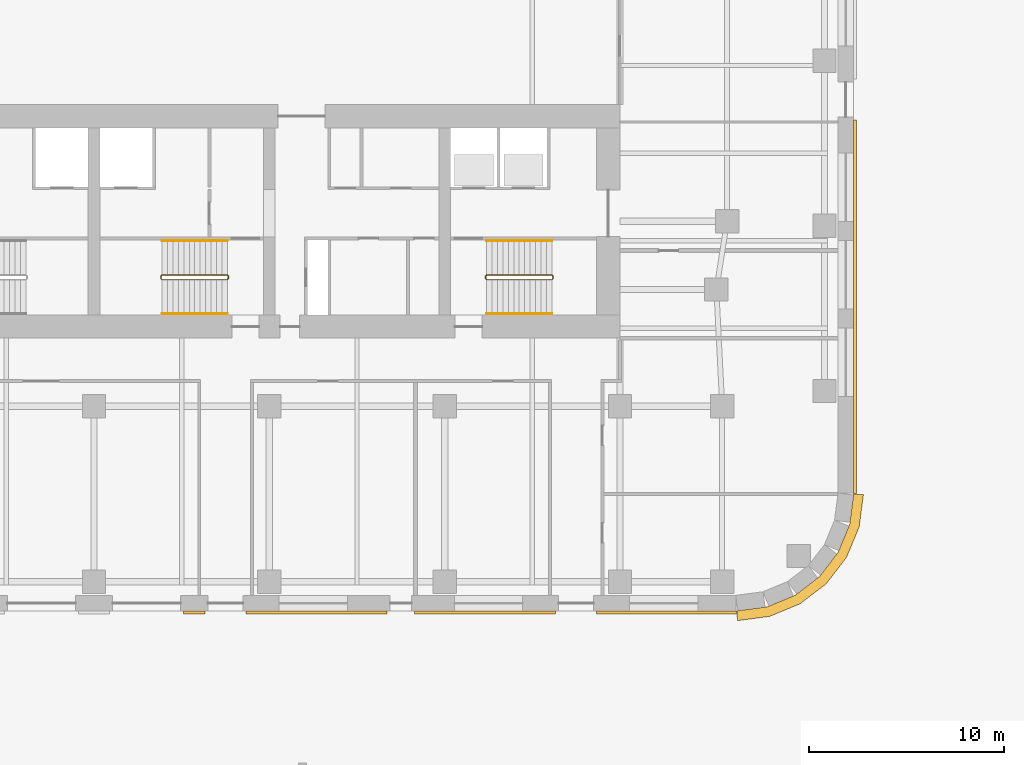
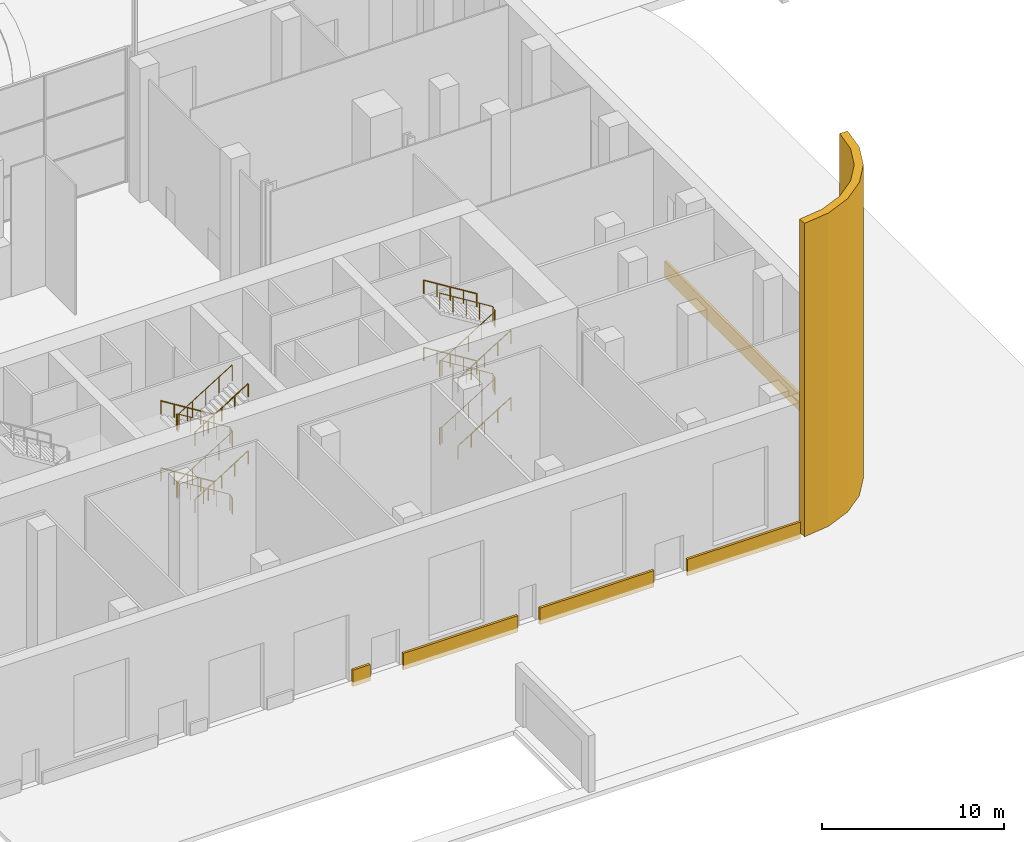
# One storey, part 18 of 23: 10 railings, 6 coverings.
"""IFC4 building model written with IfcOpenShell, lengths in metres."""

from ifc_helpers import new_model, si_unit, direction, frame, origin, origin_2d, place, context, subcontext, project, spatial, polyline, circle, outline, extrude, material, layer, layer_set, type_object, element, save


model = new_model("IFC4")

# Units and contexts
model_context = context("Model", 3, precision=1e-05, world=origin(), true_north=direction((0.0, 1.0)))
body_context = subcontext(model_context, "Body", "Model", "MODEL_VIEW")
ifc_project = project(units=[si_unit("LENGTHUNIT", "METRE"), si_unit("AREAUNIT", "SQUARE_METRE"), si_unit("VOLUMEUNIT", "CUBIC_METRE"), si_unit("PLANEANGLEUNIT", "RADIAN"), si_unit("MASSUNIT", "GRAM", prefix="KILO")], contexts=[model_context])

# Site, building, storey
site_placement = place(None, origin())
site = spatial("IfcSite", under=ifc_project, at=site_placement, CompositionType="ELEMENT")
building_placement = place(site_placement, origin())
building = spatial("IfcBuilding", under=site, at=building_placement, Name="Zellij Exchange Tower", CompositionType="ELEMENT")
storey_placement = place(building_placement, origin())
storey = spatial("IfcBuildingStorey", under=building, at=storey_placement, Name="L00", CompositionType="ELEMENT", Elevation=0.0)

# Railings
ifc_material_1 = material(Name="Stainless steel", Category="steel")
railing_type_1 = type_object("IfcRailingType", Name="CORE-RG stair guard", PredefinedType="GUARDRAIL", material=ifc_material_1)
railing_1_placement = place(storey_placement, frame((6.89990234375, -10.800048828125, 0.0)))
element("IfcRailing", 1, at=railing_1_placement, inside=storey, type_object=railing_type_1, Name="ST3 stair guard L00", PredefinedType="GUARDRAIL", context=body_context, shape_type="SweptSolid", body=[
    extrude(circle(Radius=0.02392578125, at=origin_2d()), frame((0.0, 0.0, 1.076171875), z_axis=(0.0, -1.0, 0.0), x_axis=(1.0, 0.0, 0.0)), (0.0, 0.0, 1.0), 0.14990234375),
    extrude(circle(Radius=0.02392578125, at=origin_2d()), frame((0.0, -0.14990234375, 1.076171875), z_axis=(-0.185068141132, 0.742994154839, 0.643202510111), x_axis=(-0.970351222016, -0.241699205484, 0.0)), (0.0, 0.0, 1.0), 0.26904296875),
    extrude(circle(Radius=0.02392578125, at=origin_2d()), frame((-0.0498046875, 0.050048828125, 1.2490234375), z_axis=(-0.850623216509, 0.0, 0.525775754039), x_axis=(0.0, -1.0, 0.0)), (0.0, 0.0, 1.0), 3.9501953125),
    extrude(circle(Radius=0.02392578125, at=origin_2d()), frame((-3.409912109375, 0.050048828125, 3.326171875), z_axis=(-0.707106781187, -0.707106781187, 0.0), x_axis=(0.707106781187, -0.707106781187, 0.0)), (0.0, 0.0, 1.0), 0.07080078125),
    extrude(circle(Radius=0.02392578125, at=origin_2d()), frame((-3.4599609375, 0.0, 3.326171875), z_axis=(0.0, -1.0, 0.0), x_axis=(1.0, 0.0, 0.0)), (0.0, 0.0, 1.0), 0.14990234375),
    extrude(circle(Radius=0.02392578125, at=origin_2d()), frame((-3.4599609375, -0.14990234375, 3.326171875), z_axis=(0.267629722418, -0.267629722418, 0.925607186314), x_axis=(0.707106781187, 0.707106781187, 0.0)), (0.0, 0.0, 1.0), 0.18701171875),
    extrude(circle(Radius=0.02392578125, at=origin_2d()), frame((-3.409912109375, -0.199951171875, 3.4990234375), z_axis=(0.850623216509, 0.0, 0.525775754039), x_axis=(0.0, 1.0, 0.0)), (0.0, 0.0, 1.0), 3.9501953125),
    extrude(circle(Radius=0.02392578125, at=origin_2d()), frame((-0.0498046875, -0.199951171875, 5.576171875), z_axis=(0.241699205484, 0.970351222016, 0.0), x_axis=(-0.970351222016, 0.241699205484, 0.0)), (0.0, 0.0, 1.0), 0.2060546875),
    extrude(circle(Radius=0.02392578125, at=origin_2d()), frame((0.0, 0.0, 5.576171875), z_axis=(0.0, -1.0, 0.0), x_axis=(1.0, 0.0, 0.0)), (0.0, 0.0, 1.0), 0.14990234375),
    extrude(circle(Radius=0.02392578125, at=origin_2d()), frame((0.0, -0.14990234375, 5.576171875), z_axis=(-0.185068141132, 0.742994154839, 0.643202510111), x_axis=(-0.970351222016, -0.241699205484, 0.0)), (0.0, 0.0, 1.0), 0.26904296875),
    extrude(circle(Radius=0.02392578125, at=origin_2d()), frame((-0.0498046875, 0.050048828125, 5.7490234375), z_axis=(-0.850623216509, 0.0, 0.525775754039), x_axis=(0.0, -1.0, 0.0)), (0.0, 0.0, 1.0), 3.9501953125),
    extrude(circle(Radius=0.02392578125, at=origin_2d()), frame((-3.409912109375, 0.050048828125, 7.826171875), z_axis=(-0.707106781187, -0.707106781187, 0.0), x_axis=(0.707106781187, -0.707106781187, 0.0)), (0.0, 0.0, 1.0), 0.07080078125),
    extrude(circle(Radius=0.02392578125, at=origin_2d()), frame((-3.4599609375, 0.0, 7.826171875), z_axis=(0.0, -1.0, 0.0), x_axis=(1.0, 0.0, 0.0)), (0.0, 0.0, 1.0), 0.14990234375),
    extrude(circle(Radius=0.02392578125, at=origin_2d()), frame((-3.4599609375, -0.14990234375, 7.826171875), z_axis=(0.267629722418, -0.267629722418, 0.925607186314), x_axis=(0.707106781187, 0.707106781187, 0.0)), (0.0, 0.0, 1.0), 0.18701171875),
    extrude(circle(Radius=0.02392578125, at=origin_2d()), frame((-3.409912109375, -0.199951171875, 7.9990234375), z_axis=(0.850623216509, 0.0, 0.525775754039), x_axis=(0.0, 1.0, 0.0)), (0.0, 0.0, 1.0), 3.9501953125),
    extrude(circle(Radius=0.02099609375, at=origin_2d()), origin(), (0.0, 0.0, 1.0), 1.052001953125),
    extrude(circle(Radius=0.02099609375, at=origin_2d()), frame((0.0, -0.14990234375, 0.0)), (0.0, 0.0, 1.0), 1.052001953125),
    extrude(circle(Radius=0.02099609375, at=origin_2d()), frame((-0.0498046875, 0.050048828125, 0.173095703125)), (0.0, 0.0, 1.0), 1.052001953125),
    extrude(circle(Radius=0.02099609375, at=origin_2d()), frame((-0.889892578125, 0.050048828125, 0.6923828125)), (0.0, 0.0, 1.0), 1.052001953125),
    extrude(circle(Radius=0.02099609375, at=origin_2d()), frame((-1.72998046875, 0.050048828125, 1.21142578125)), (0.0, 0.0, 1.0), 1.052001953125),
    extrude(circle(Radius=0.02099609375, at=origin_2d()), frame((-2.56982421875, 0.050048828125, 1.730712890625)), (0.0, 0.0, 1.0), 1.052001953125),
    extrude(circle(Radius=0.02099609375, at=origin_2d()), frame((-3.409912109375, 0.050048828125, 2.25)), (0.0, 0.0, 1.0), 1.052001953125),
    extrude(circle(Radius=0.02099609375, at=origin_2d()), frame((-3.4599609375, 0.0, 2.25)), (0.0, 0.0, 1.0), 1.052001953125),
    extrude(circle(Radius=0.02099609375, at=origin_2d()), frame((-3.4599609375, -0.14990234375, 2.25)), (0.0, 0.0, 1.0), 1.052001953125),
    extrude(circle(Radius=0.02099609375, at=origin_2d()), frame((-3.409912109375, -0.199951171875, 2.423095703125)), (0.0, 0.0, 1.0), 1.052001953125),
    extrude(circle(Radius=0.02099609375, at=origin_2d()), frame((-2.56982421875, -0.199951171875, 2.9423828125)), (0.0, 0.0, 1.0), 1.052001953125),
    extrude(circle(Radius=0.02099609375, at=origin_2d()), frame((-1.72998046875, -0.199951171875, 3.46142578125)), (0.0, 0.0, 1.0), 1.052001953125),
    extrude(circle(Radius=0.02099609375, at=origin_2d()), frame((-0.889892578125, -0.199951171875, 3.980712890625)), (0.0, 0.0, 1.0), 1.052001953125),
    extrude(circle(Radius=0.02099609375, at=origin_2d()), frame((-0.0498046875, -0.199951171875, 4.5)), (0.0, 0.0, 1.0), 1.052001953125),
    extrude(circle(Radius=0.02099609375, at=origin_2d()), frame((0.0, 0.0, 4.5)), (0.0, 0.0, 1.0), 1.052001953125),
    extrude(circle(Radius=0.02099609375, at=origin_2d()), frame((0.0, -0.14990234375, 4.5)), (0.0, 0.0, 1.0), 1.052001953125),
    extrude(circle(Radius=0.02099609375, at=origin_2d()), frame((-0.0498046875, 0.050048828125, 4.673095703125)), (0.0, 0.0, 1.0), 1.052001953125),
    extrude(circle(Radius=0.02099609375, at=origin_2d()), frame((-0.889892578125, 0.050048828125, 5.1923828125)), (0.0, 0.0, 1.0), 1.052001953125),
    extrude(circle(Radius=0.02099609375, at=origin_2d()), frame((-1.72998046875, 0.050048828125, 5.71142578125)), (0.0, 0.0, 1.0), 1.052001953125),
    extrude(circle(Radius=0.02099609375, at=origin_2d()), frame((-2.56982421875, 0.050048828125, 6.230712890625)), (0.0, 0.0, 1.0), 1.052001953125),
    extrude(circle(Radius=0.02099609375, at=origin_2d()), frame((-3.409912109375, 0.050048828125, 6.75)), (0.0, 0.0, 1.0), 1.052001953125),
    extrude(circle(Radius=0.02099609375, at=origin_2d()), frame((-3.4599609375, 0.0, 6.75)), (0.0, 0.0, 1.0), 1.052001953125),
    extrude(circle(Radius=0.02099609375, at=origin_2d()), frame((-3.4599609375, -0.14990234375, 6.75)), (0.0, 0.0, 1.0), 1.052001953125),
    extrude(circle(Radius=0.02099609375, at=origin_2d()), frame((-3.409912109375, -0.199951171875, 6.923095703125)), (0.0, 0.0, 1.0), 1.052001953125),
    extrude(circle(Radius=0.02099609375, at=origin_2d()), frame((-2.56982421875, -0.199951171875, 7.4423828125)), (0.0, 0.0, 1.0), 1.052001953125),
    extrude(circle(Radius=0.02099609375, at=origin_2d()), frame((-1.72998046875, -0.199951171875, 7.96142578125)), (0.0, 0.0, 1.0), 1.052001953125),
    extrude(circle(Radius=0.02099609375, at=origin_2d()), frame((-0.889892578125, -0.199951171875, 8.480712890625)), (0.0, 0.0, 1.0), 1.052001953125),
    extrude(circle(Radius=0.02099609375, at=origin_2d()), frame((-0.0498046875, -0.199951171875, 9.0)), (0.0, 0.0, 1.0), 1.052001953125),
])
railing_2_placement = place(storey_placement, frame((20.10009765625, -10.949951171875, 0.0)))
element("IfcRailing", 2, at=railing_2_placement, inside=storey, type_object=railing_type_1, Name="ST4 stair guard L00", PredefinedType="GUARDRAIL", context=body_context, shape_type="SweptSolid", body=[
    extrude(circle(Radius=0.02392578125, at=origin_2d()), frame((0.0, 0.0, 1.076171875), z_axis=(0.0, 1.0, 0.0), x_axis=(-1.0, 0.0, 0.0)), (0.0, 0.0, 1.0), 0.14990234375),
    extrude(circle(Radius=0.02392578125, at=origin_2d()), frame((0.0, 0.14990234375, 1.076171875), z_axis=(0.185068141132, -0.742994154839, 0.643202510111), x_axis=(0.970351222016, 0.241699205484, 0.0)), (0.0, 0.0, 1.0), 0.26904296875),
    extrude(circle(Radius=0.02392578125, at=origin_2d()), frame((0.0498046875, -0.050048828125, 1.2490234375), z_axis=(0.850623216509, 0.0, 0.525775754039), x_axis=(0.0, 1.0, 0.0)), (0.0, 0.0, 1.0), 3.9501953125),
    extrude(circle(Radius=0.02392578125, at=origin_2d()), frame((3.409912109375, -0.050048828125, 3.326171875), z_axis=(0.707106781187, 0.707106781187, 0.0), x_axis=(-0.707106781187, 0.707106781187, 0.0)), (0.0, 0.0, 1.0), 0.07080078125),
    extrude(circle(Radius=0.02392578125, at=origin_2d()), frame((3.4599609375, 0.0, 3.326171875), z_axis=(0.0, 1.0, 0.0), x_axis=(-1.0, 0.0, 0.0)), (0.0, 0.0, 1.0), 0.14990234375),
    extrude(circle(Radius=0.02392578125, at=origin_2d()), frame((3.4599609375, 0.14990234375, 3.326171875), z_axis=(-0.267629722418, 0.267629722418, 0.925607186314), x_axis=(-0.707106781187, -0.707106781187, 0.0)), (0.0, 0.0, 1.0), 0.18701171875),
    extrude(circle(Radius=0.02392578125, at=origin_2d()), frame((3.409912109375, 0.199951171875, 3.4990234375), z_axis=(-0.850623216509, 0.0, 0.525775754039), x_axis=(0.0, -1.0, 0.0)), (0.0, 0.0, 1.0), 3.9501953125),
    extrude(circle(Radius=0.02392578125, at=origin_2d()), frame((0.0498046875, 0.199951171875, 5.576171875), z_axis=(-0.241699205484, -0.970351222016, 0.0), x_axis=(0.970351222016, -0.241699205484, 0.0)), (0.0, 0.0, 1.0), 0.2060546875),
    extrude(circle(Radius=0.02392578125, at=origin_2d()), frame((0.0, 0.0, 5.576171875), z_axis=(0.0, 1.0, 0.0), x_axis=(-1.0, 0.0, 0.0)), (0.0, 0.0, 1.0), 0.14990234375),
    extrude(circle(Radius=0.02392578125, at=origin_2d()), frame((0.0, 0.14990234375, 5.576171875), z_axis=(0.185068141132, -0.742994154839, 0.643202510111), x_axis=(0.970351222016, 0.241699205484, 0.0)), (0.0, 0.0, 1.0), 0.26904296875),
    extrude(circle(Radius=0.02392578125, at=origin_2d()), frame((0.0498046875, -0.050048828125, 5.7490234375), z_axis=(0.850623216509, 0.0, 0.525775754039), x_axis=(0.0, 1.0, 0.0)), (0.0, 0.0, 1.0), 3.9501953125),
    extrude(circle(Radius=0.02392578125, at=origin_2d()), frame((3.409912109375, -0.050048828125, 7.826171875), z_axis=(0.707106781187, 0.707106781187, 0.0), x_axis=(-0.707106781187, 0.707106781187, 0.0)), (0.0, 0.0, 1.0), 0.07080078125),
    extrude(circle(Radius=0.02392578125, at=origin_2d()), frame((3.4599609375, 0.0, 7.826171875), z_axis=(0.0, 1.0, 0.0), x_axis=(-1.0, 0.0, 0.0)), (0.0, 0.0, 1.0), 0.14990234375),
    extrude(circle(Radius=0.02392578125, at=origin_2d()), frame((3.4599609375, 0.14990234375, 7.826171875), z_axis=(-0.267629722418, 0.267629722418, 0.925607186314), x_axis=(-0.707106781187, -0.707106781187, 0.0)), (0.0, 0.0, 1.0), 0.18701171875),
    extrude(circle(Radius=0.02392578125, at=origin_2d()), frame((3.409912109375, 0.199951171875, 7.9990234375), z_axis=(-0.850623216509, 0.0, 0.525775754039), x_axis=(0.0, -1.0, 0.0)), (0.0, 0.0, 1.0), 3.9501953125),
    extrude(circle(Radius=0.02099609375, at=origin_2d()), origin(), (0.0, 0.0, 1.0), 1.052001953125),
    extrude(circle(Radius=0.02099609375, at=origin_2d()), frame((0.0, 0.14990234375, 0.0)), (0.0, 0.0, 1.0), 1.052001953125),
    extrude(circle(Radius=0.02099609375, at=origin_2d()), frame((0.0498046875, -0.050048828125, 0.173095703125)), (0.0, 0.0, 1.0), 1.052001953125),
    extrude(circle(Radius=0.02099609375, at=origin_2d()), frame((0.889892578125, -0.050048828125, 0.6923828125)), (0.0, 0.0, 1.0), 1.052001953125),
    extrude(circle(Radius=0.02099609375, at=origin_2d()), frame((1.72998046875, -0.050048828125, 1.21142578125)), (0.0, 0.0, 1.0), 1.052001953125),
    extrude(circle(Radius=0.02099609375, at=origin_2d()), frame((2.56982421875, -0.050048828125, 1.730712890625)), (0.0, 0.0, 1.0), 1.052001953125),
    extrude(circle(Radius=0.02099609375, at=origin_2d()), frame((3.409912109375, -0.050048828125, 2.25)), (0.0, 0.0, 1.0), 1.052001953125),
    extrude(circle(Radius=0.02099609375, at=origin_2d()), frame((3.4599609375, 0.0, 2.25)), (0.0, 0.0, 1.0), 1.052001953125),
    extrude(circle(Radius=0.02099609375, at=origin_2d()), frame((3.4599609375, 0.14990234375, 2.25)), (0.0, 0.0, 1.0), 1.052001953125),
    extrude(circle(Radius=0.02099609375, at=origin_2d()), frame((3.409912109375, 0.199951171875, 2.423095703125)), (0.0, 0.0, 1.0), 1.052001953125),
    extrude(circle(Radius=0.02099609375, at=origin_2d()), frame((2.56982421875, 0.199951171875, 2.9423828125)), (0.0, 0.0, 1.0), 1.052001953125),
    extrude(circle(Radius=0.02099609375, at=origin_2d()), frame((1.72998046875, 0.199951171875, 3.46142578125)), (0.0, 0.0, 1.0), 1.052001953125),
    extrude(circle(Radius=0.02099609375, at=origin_2d()), frame((0.889892578125, 0.199951171875, 3.980712890625)), (0.0, 0.0, 1.0), 1.052001953125),
    extrude(circle(Radius=0.02099609375, at=origin_2d()), frame((0.0498046875, 0.199951171875, 4.5)), (0.0, 0.0, 1.0), 1.052001953125),
    extrude(circle(Radius=0.02099609375, at=origin_2d()), frame((0.0, 0.0, 4.5)), (0.0, 0.0, 1.0), 1.052001953125),
    extrude(circle(Radius=0.02099609375, at=origin_2d()), frame((0.0, 0.14990234375, 4.5)), (0.0, 0.0, 1.0), 1.052001953125),
    extrude(circle(Radius=0.02099609375, at=origin_2d()), frame((0.0498046875, -0.050048828125, 4.673095703125)), (0.0, 0.0, 1.0), 1.052001953125),
    extrude(circle(Radius=0.02099609375, at=origin_2d()), frame((0.889892578125, -0.050048828125, 5.1923828125)), (0.0, 0.0, 1.0), 1.052001953125),
    extrude(circle(Radius=0.02099609375, at=origin_2d()), frame((1.72998046875, -0.050048828125, 5.71142578125)), (0.0, 0.0, 1.0), 1.052001953125),
    extrude(circle(Radius=0.02099609375, at=origin_2d()), frame((2.56982421875, -0.050048828125, 6.230712890625)), (0.0, 0.0, 1.0), 1.052001953125),
    extrude(circle(Radius=0.02099609375, at=origin_2d()), frame((3.409912109375, -0.050048828125, 6.75)), (0.0, 0.0, 1.0), 1.052001953125),
    extrude(circle(Radius=0.02099609375, at=origin_2d()), frame((3.4599609375, 0.0, 6.75)), (0.0, 0.0, 1.0), 1.052001953125),
    extrude(circle(Radius=0.02099609375, at=origin_2d()), frame((3.4599609375, 0.14990234375, 6.75)), (0.0, 0.0, 1.0), 1.052001953125),
    extrude(circle(Radius=0.02099609375, at=origin_2d()), frame((3.409912109375, 0.199951171875, 6.923095703125)), (0.0, 0.0, 1.0), 1.052001953125),
    extrude(circle(Radius=0.02099609375, at=origin_2d()), frame((2.56982421875, 0.199951171875, 7.4423828125)), (0.0, 0.0, 1.0), 1.052001953125),
    extrude(circle(Radius=0.02099609375, at=origin_2d()), frame((1.72998046875, 0.199951171875, 7.96142578125)), (0.0, 0.0, 1.0), 1.052001953125),
    extrude(circle(Radius=0.02099609375, at=origin_2d()), frame((0.889892578125, 0.199951171875, 8.480712890625)), (0.0, 0.0, 1.0), 1.052001953125),
    extrude(circle(Radius=0.02099609375, at=origin_2d()), frame((0.0498046875, 0.199951171875, 9.0)), (0.0, 0.0, 1.0), 1.052001953125),
])
railing_type_2 = type_object("IfcRailingType", Name="CORE-RH stair handrail", PredefinedType="HANDRAIL", material=ifc_material_1)
railing_3_placement = place(storey_placement, frame((6.85009765625, -9.0, 0.173095703125)))
element("IfcRailing", 3, at=railing_3_placement, inside=storey, type_object=railing_type_2, Name="ST3 stair handrail L00", PredefinedType="HANDRAIL", context=body_context, shape_type="SweptSolid", body=[
    extrude(circle(Radius=0.02392578125, at=origin_2d()), frame((0.0, 0.0, 0.8759765625), z_axis=(-0.850623216509, 0.0, 0.525775754039), x_axis=(0.0, -1.0, 0.0)), (0.0, 0.0, 1.0), 3.9501953125),
    extrude(circle(Radius=0.02099609375, at=origin_2d()), origin(), (0.0, 0.0, 1.0), 0.851806640625),
    extrude(circle(Radius=0.02099609375, at=origin_2d()), frame((-0.840087890625, 0.0, 0.519287109375)), (0.0, 0.0, 1.0), 0.851806640625),
    extrude(circle(Radius=0.02099609375, at=origin_2d()), frame((-1.68017578125, 0.0, 1.03857421875)), (0.0, 0.0, 1.0), 0.851806640625),
    extrude(circle(Radius=0.02099609375, at=origin_2d()), frame((-2.52001953125, 0.0, 1.5576171875)), (0.0, 0.0, 1.0), 0.851806640625),
    extrude(circle(Radius=0.02099609375, at=origin_2d()), frame((-3.360107421875, 0.0, 2.076904296875)), (0.0, 0.0, 1.0), 0.851806640625),
])
railing_4_placement = place(storey_placement, frame((3.489990234375, -12.75, 2.423095703125)))
element("IfcRailing", 4, at=railing_4_placement, inside=storey, type_object=railing_type_2, Name="ST3 stair handrail L00", PredefinedType="HANDRAIL", context=body_context, shape_type="SweptSolid", body=[
    extrude(circle(Radius=0.02392578125, at=origin_2d()), frame((0.0, 0.0, 0.8759765625), z_axis=(0.850623216509, 0.0, 0.525775754039), x_axis=(0.0, 1.0, 0.0)), (0.0, 0.0, 1.0), 3.9501953125),
    extrude(circle(Radius=0.02099609375, at=origin_2d()), origin(), (0.0, 0.0, 1.0), 0.851806640625),
    extrude(circle(Radius=0.02099609375, at=origin_2d()), frame((0.840087890625, 0.0, 0.519287109375)), (0.0, 0.0, 1.0), 0.851806640625),
    extrude(circle(Radius=0.02099609375, at=origin_2d()), frame((1.68017578125, 0.0, 1.03857421875)), (0.0, 0.0, 1.0), 0.851806640625),
    extrude(circle(Radius=0.02099609375, at=origin_2d()), frame((2.52001953125, 0.0, 1.5576171875)), (0.0, 0.0, 1.0), 0.851806640625),
    extrude(circle(Radius=0.02099609375, at=origin_2d()), frame((3.360107421875, 0.0, 2.076904296875)), (0.0, 0.0, 1.0), 0.851806640625),
])
railing_5_placement = place(storey_placement, frame((6.85009765625, -9.0, 4.673095703125)))
element("IfcRailing", 5, at=railing_5_placement, inside=storey, type_object=railing_type_2, Name="ST3 stair handrail L00", PredefinedType="HANDRAIL", context=body_context, shape_type="SweptSolid", body=[
    extrude(circle(Radius=0.02392578125, at=origin_2d()), frame((0.0, 0.0, 0.8759765625), z_axis=(-0.850623216509, 0.0, 0.525775754039), x_axis=(0.0, -1.0, 0.0)), (0.0, 0.0, 1.0), 3.9501953125),
    extrude(circle(Radius=0.02099609375, at=origin_2d()), origin(), (0.0, 0.0, 1.0), 0.851806640625),
    extrude(circle(Radius=0.02099609375, at=origin_2d()), frame((-0.840087890625, 0.0, 0.519287109375)), (0.0, 0.0, 1.0), 0.851806640625),
    extrude(circle(Radius=0.02099609375, at=origin_2d()), frame((-1.68017578125, 0.0, 1.03857421875)), (0.0, 0.0, 1.0), 0.851806640625),
    extrude(circle(Radius=0.02099609375, at=origin_2d()), frame((-2.52001953125, 0.0, 1.5576171875)), (0.0, 0.0, 1.0), 0.851806640625),
    extrude(circle(Radius=0.02099609375, at=origin_2d()), frame((-3.360107421875, 0.0, 2.076904296875)), (0.0, 0.0, 1.0), 0.851806640625),
])
for number, where, name in (
    (6, (3.489990234375, -12.75, 6.923095703125), "ST3 stair handrail L00"),
    (7, (20.14990234375, -12.75, 0.173095703125), "ST4 stair handrail L00"),
):
    element("IfcRailing", number, at=place(storey_placement, frame(where)), inside=storey, type_object=railing_type_2, Name=name, PredefinedType="HANDRAIL", context=body_context, shape_type="SweptSolid", body=[
        extrude(circle(Radius=0.02392578125, at=origin_2d()), frame((0.0, 0.0, 0.8759765625), z_axis=(0.850623216509, 0.0, 0.525775754039), x_axis=(0.0, 1.0, 0.0)), (0.0, 0.0, 1.0), 3.9501953125),
        extrude(circle(Radius=0.02099609375, at=origin_2d()), origin(), (0.0, 0.0, 1.0), 0.851806640625),
        extrude(circle(Radius=0.02099609375, at=origin_2d()), frame((0.840087890625, 0.0, 0.519287109375)), (0.0, 0.0, 1.0), 0.851806640625),
        extrude(circle(Radius=0.02099609375, at=origin_2d()), frame((1.68017578125, 0.0, 1.03857421875)), (0.0, 0.0, 1.0), 0.851806640625),
        extrude(circle(Radius=0.02099609375, at=origin_2d()), frame((2.52001953125, 0.0, 1.5576171875)), (0.0, 0.0, 1.0), 0.851806640625),
        extrude(circle(Radius=0.02099609375, at=origin_2d()), frame((3.360107421875, 0.0, 2.076904296875)), (0.0, 0.0, 1.0), 0.851806640625),
    ])
railing_6_placement = place(storey_placement, frame((23.510009765625, -9.0, 2.423095703125)))
element("IfcRailing", 8, at=railing_6_placement, inside=storey, type_object=railing_type_2, Name="ST4 stair handrail L00", PredefinedType="HANDRAIL", context=body_context, shape_type="SweptSolid", body=[
    extrude(circle(Radius=0.02392578125, at=origin_2d()), frame((0.0, 0.0, 0.8759765625), z_axis=(-0.850623216509, 0.0, 0.525775754039), x_axis=(0.0, -1.0, 0.0)), (0.0, 0.0, 1.0), 3.9501953125),
    extrude(circle(Radius=0.02099609375, at=origin_2d()), origin(), (0.0, 0.0, 1.0), 0.851806640625),
    extrude(circle(Radius=0.02099609375, at=origin_2d()), frame((-0.840087890625, 0.0, 0.519287109375)), (0.0, 0.0, 1.0), 0.851806640625),
    extrude(circle(Radius=0.02099609375, at=origin_2d()), frame((-1.68017578125, 0.0, 1.03857421875)), (0.0, 0.0, 1.0), 0.851806640625),
    extrude(circle(Radius=0.02099609375, at=origin_2d()), frame((-2.52001953125, 0.0, 1.5576171875)), (0.0, 0.0, 1.0), 0.851806640625),
    extrude(circle(Radius=0.02099609375, at=origin_2d()), frame((-3.360107421875, 0.0, 2.076904296875)), (0.0, 0.0, 1.0), 0.851806640625),
])
railing_7_placement = place(storey_placement, frame((20.14990234375, -12.75, 4.673095703125)))
element("IfcRailing", 9, at=railing_7_placement, inside=storey, type_object=railing_type_2, Name="ST4 stair handrail L00", PredefinedType="HANDRAIL", context=body_context, shape_type="SweptSolid", body=[
    extrude(circle(Radius=0.02392578125, at=origin_2d()), frame((0.0, 0.0, 0.8759765625), z_axis=(0.850623216509, 0.0, 0.525775754039), x_axis=(0.0, 1.0, 0.0)), (0.0, 0.0, 1.0), 3.9501953125),
    extrude(circle(Radius=0.02099609375, at=origin_2d()), origin(), (0.0, 0.0, 1.0), 0.851806640625),
    extrude(circle(Radius=0.02099609375, at=origin_2d()), frame((0.840087890625, 0.0, 0.519287109375)), (0.0, 0.0, 1.0), 0.851806640625),
    extrude(circle(Radius=0.02099609375, at=origin_2d()), frame((1.68017578125, 0.0, 1.03857421875)), (0.0, 0.0, 1.0), 0.851806640625),
    extrude(circle(Radius=0.02099609375, at=origin_2d()), frame((2.52001953125, 0.0, 1.5576171875)), (0.0, 0.0, 1.0), 0.851806640625),
    extrude(circle(Radius=0.02099609375, at=origin_2d()), frame((3.360107421875, 0.0, 2.076904296875)), (0.0, 0.0, 1.0), 0.851806640625),
])
railing_8_placement = place(storey_placement, frame((23.510009765625, -9.0, 6.923095703125)))
element("IfcRailing", 10, at=railing_8_placement, inside=storey, type_object=railing_type_2, Name="ST4 stair handrail L00", PredefinedType="HANDRAIL", context=body_context, shape_type="SweptSolid", body=[
    extrude(circle(Radius=0.02392578125, at=origin_2d()), frame((0.0, 0.0, 0.8759765625), z_axis=(-0.850623216509, 0.0, 0.525775754039), x_axis=(0.0, -1.0, 0.0)), (0.0, 0.0, 1.0), 3.9501953125),
    extrude(circle(Radius=0.02099609375, at=origin_2d()), origin(), (0.0, 0.0, 1.0), 0.851806640625),
    extrude(circle(Radius=0.02099609375, at=origin_2d()), frame((-0.840087890625, 0.0, 0.519287109375)), (0.0, 0.0, 1.0), 0.851806640625),
    extrude(circle(Radius=0.02099609375, at=origin_2d()), frame((-1.68017578125, 0.0, 1.03857421875)), (0.0, 0.0, 1.0), 0.851806640625),
    extrude(circle(Radius=0.02099609375, at=origin_2d()), frame((-2.52001953125, 0.0, 1.5576171875)), (0.0, 0.0, 1.0), 0.851806640625),
    extrude(circle(Radius=0.02099609375, at=origin_2d()), frame((-3.360107421875, 0.0, 2.076904296875)), (0.0, 0.0, 1.0), 0.851806640625),
])

# Coverings
ifc_material_2 = material(Name="Limestone cladding", Category="masonry")
ifc_layer_1 = layer(ifc_material_2, 0.14990234375)
ifc_layer_set_1 = layer_set([ifc_layer_1], Name="Limestone cladding")
covering_type_1 = type_object("IfcCoveringType", Name="ENV-CV1 Stone spandrel band 150", PredefinedType="CLADDING", material=ifc_layer_set_1)
covering_1_placement = place(storey_placement, frame((0.0, 0.0, -0.300048828125)))
element("IfcCovering", 11, at=covering_1_placement, inside=storey, type_object=covering_type_1, Name="Stone spandrel band", PredefinedType="CLADDING", context=body_context, shape_type="SweptSolid", body=[
    extrude(outline(polyline([(4.60009765625, -28.0), (5.699951171875, -28.0), (5.699951171875, -28.14990234375), (4.60009765625, -28.14990234375), (4.60009765625, -28.0)])), origin(), (0.0, 0.0, 1.0), 1.10009765625),
])
covering_2_placement = place(storey_placement, frame((0.0, 0.0, -0.300048828125)))
element("IfcCovering", 12, at=covering_2_placement, inside=storey, type_object=covering_type_1, Name="Stone spandrel band", PredefinedType="CLADDING", context=body_context, shape_type="SweptSolid", body=[
    extrude(outline(polyline([(7.800048828125, -28.0), (15.050048828125, -28.0), (15.050048828125, -28.14990234375), (7.800048828125, -28.14990234375), (7.800048828125, -28.0)])), origin(), (0.0, 0.0, 1.0), 1.10009765625),
])
covering_3_placement = place(storey_placement, frame((0.0, 0.0, -0.300048828125)))
element("IfcCovering", 13, at=covering_3_placement, inside=storey, type_object=covering_type_1, Name="Stone spandrel band", PredefinedType="CLADDING", context=body_context, shape_type="SweptSolid", body=[
    extrude(outline(polyline([(16.449951171875, -28.0), (23.699951171875, -28.0), (23.699951171875, -28.14990234375), (16.449951171875, -28.14990234375), (16.449951171875, -28.0)])), origin(), (0.0, 0.0, 1.0), 1.10009765625),
])
covering_4_placement = place(storey_placement, frame((0.0, 0.0, -0.300048828125)))
element("IfcCovering", 14, at=covering_4_placement, inside=storey, type_object=covering_type_1, Name="Stone spandrel band", PredefinedType="CLADDING", context=body_context, shape_type="SweptSolid", body=[
    extrude(outline(polyline([(25.800048828125, -28.0), (32.973876953125, -28.0), (32.983642578125, -28.14990234375), (25.800048828125, -28.14990234375), (25.800048828125, -28.0)])), origin(), (0.0, 0.0, 1.0), 1.10009765625),
])
covering_5_placement = place(storey_placement, frame((0.0, 0.0, -0.300048828125)))
element("IfcCovering", 15, at=covering_5_placement, inside=storey, type_object=covering_type_1, Name="Stone spandrel band", PredefinedType="CLADDING", context=body_context, shape_type="SweptSolid", body=[
    extrude(outline(polyline([(39.0, -21.973876953125), (39.0, -2.80322265625), (39.14990234375, -2.80322265625), (39.14990234375, -21.983642578125), (39.0, -21.973876953125)])), origin(), (0.0, 0.0, 1.0), 1.10009765625),
])
ifc_layer_2 = layer(ifc_material_2, 0.5)
ifc_layer_set_2 = layer_set([ifc_layer_2], Name="Limestone cladding")
covering_type_2 = type_object("IfcCoveringType", Name="ENV-CV12 Stone corner pier 500", PredefinedType="CLADDING", material=ifc_layer_set_2)
covering_6_placement = place(storey_placement, origin())
element("IfcCovering", 16, at=covering_6_placement, inside=storey, type_object=covering_type_2, Name="Stone corner pier", PredefinedType="CLADDING", context=body_context, shape_type="SweptSolid", body=[
    extrude(outline(polyline([(33.0, -28.0), (34.552978515625, -27.795654296875), (36.0, -27.1962890625), (37.24267578125, -26.24267578125), (38.1962890625, -25.0), (38.795654296875, -23.552978515625), (39.0, -22.0), (39.5, -22.03271484375), (39.28271484375, -23.683349609375), (38.6328125, -25.252197265625), (37.59912109375, -26.59912109375), (36.252197265625, -27.6328125), (34.683349609375, -28.28271484375), (33.03271484375, -28.5), (33.0, -28.0)])), origin(), (0.0, 0.0, 1.0), 21.0),
])

save(model, "model.ifc")
